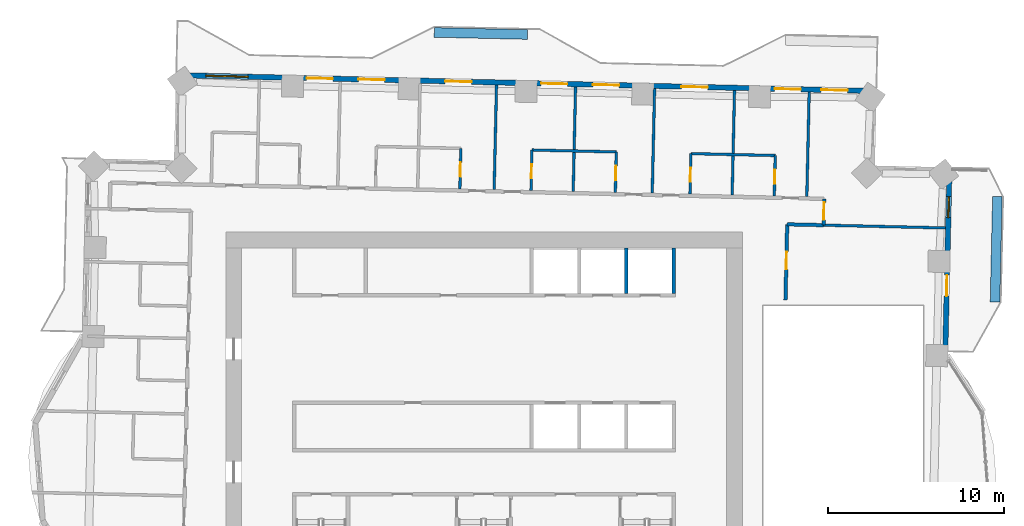
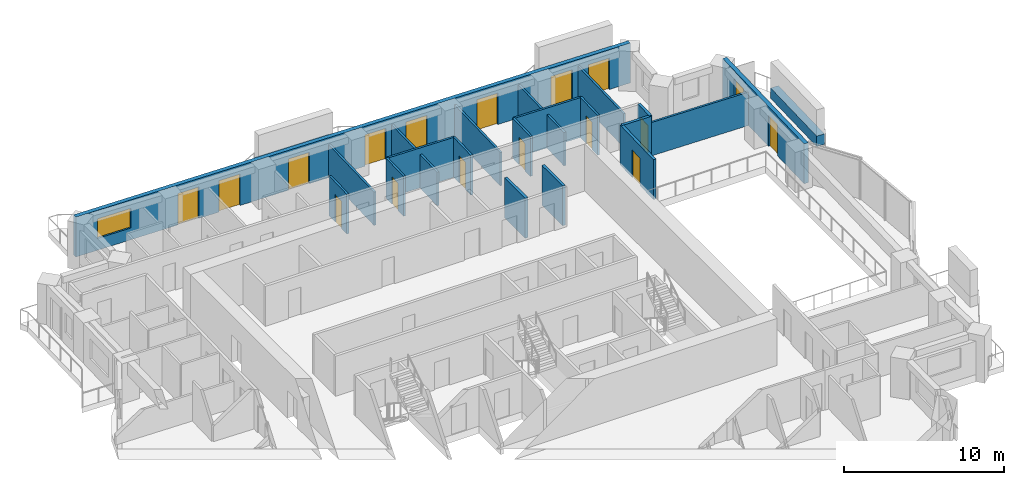
# One storey, part 9 of 14: 22 walls, 16 doors, 2 windows, 18 openings.
"""IFC4 building model written with IfcOpenShell, lengths in metres."""

from ifc_helpers import new_model, si_unit, direction, frame, frame_2d, origin, place, context, subcontext, project, spatial, rectangle, extrude, material, layer, layer_set, type_object, element, fill, save


model = new_model("IFC4")

# Units and contexts
model_context = context("Model", 3, precision=1e-05, world=origin(), true_north=direction((0.0, 1.0)))
body_context = subcontext(model_context, "Body", "Model", "MODEL_VIEW")
ifc_project = project(units=[si_unit("LENGTHUNIT", "METRE"), si_unit("AREAUNIT", "SQUARE_METRE"), si_unit("VOLUMEUNIT", "CUBIC_METRE"), si_unit("PLANEANGLEUNIT", "RADIAN"), si_unit("MASSUNIT", "GRAM", prefix="KILO")], contexts=[model_context])

# Site, building, storey
site_placement = place(None, origin())
site = spatial("IfcSite", under=ifc_project, at=site_placement, CompositionType="ELEMENT")
building_placement = place(site_placement, origin())
building = spatial("IfcBuilding", under=site, at=building_placement, Name="Mangrove Gate Tower", CompositionType="ELEMENT")
storey_placement = place(building_placement, frame((0.0, 0.0, 163.5)))
storey = spatial("IfcBuildingStorey", under=building, at=storey_placement, Name="L41", CompositionType="ELEMENT", Elevation=163.5)

# Walls
ifc_material_1 = material(Name="Concrete C60/75", Category="concrete")
ifc_layer_1 = layer(ifc_material_1, 0.199951171875)
ifc_layer_set_1 = layer_set([ifc_layer_1], Name="Core shaft wall 200 C60/75")
wall_type_1 = type_object("IfcWallType", Name="Core shaft wall 200 C60/75", PredefinedType="SHEAR", material=ifc_layer_set_1)
for number, where, z_axis, x_axis, name in (
    (1, (8.10009765625, 8.199951171875, 0.0), (0.0, 0.0, 1.0), (0.0, 1.0, 0.0), "WALL-L41-CORE-28"),
    (2, (10.800048828125, 8.199951171875, 0.0), (0.0, 0.0, 1.0), (0.0, 1.0, 0.0), "WALL-L41-CORE-29"),
):
    element("IfcWall", number, at=place(storey_placement, frame(where, z_axis=z_axis, x_axis=x_axis)), inside=storey, type_object=wall_type_1, Name=name, PredefinedType="SHEAR", context=body_context, shape_type="SweptSolid", body=[
        extrude(rectangle(XDim=2.60009765625, YDim=0.199951171875, at=frame_2d((1.300048828125, 0.0))), origin(), (0.0, 0.0, 1.0), 3.050048828125),
    ])

# Wall, opening, door
ifc_material_2 = material(Name="Gypsum board on steel stud, EI 60", Category="steel")
ifc_layer_2 = layer(ifc_material_2, 0.199951171875)
ifc_layer_set_2 = layer_set([ifc_layer_2], Name="Corridor wall EI 60")
wall_type_2 = type_object("IfcWallType", Name="Corridor wall EI 60", PredefinedType="PARTITIONING", material=ifc_layer_set_2)
wall_1_placement = place(storey_placement, frame((17.14892578125, 7.83203125, 0.0), z_axis=(0.0, 0.0, 1.0), x_axis=(0.022729111383, 0.999741660378, 0.0)))
wall_1 = element("IfcWall", 3, at=wall_1_placement, inside=storey, type_object=wall_type_2, Name="WALL-L41-049", PredefinedType="PARTITIONING", context=body_context, shape_type="SweptSolid", body=[
    extrude(rectangle(XDim=4.318115234375, YDim=0.199951171875, at=frame_2d((2.1591796875, 0.0))), origin(), (0.0, 0.0, 1.0), 3.050048828125),
])
opening_1_placement = place(wall_1_placement, frame((1.760986328125, 0.0, 0.0)))
opening_1 = element("IfcOpeningElement", 4, at=opening_1_placement, cuts=wall_1, Name="Opening AD", PredefinedType="OPENING", context=body_context, shape_type="SweptSolid", body=[
    extrude(rectangle(XDim=1.0, YDim=2.10009765625, at=frame_2d((0.5, 1.050048828125))), frame((0.0, 0.10986328125, 0.0), z_axis=(0.0, -1.0, 0.0), x_axis=(1.0, 0.0, 0.0)), (0.0, 0.0, 1.0), 0.219970703125),
])
ifc_material_3 = material(Name="Timber door leaf", Category="wood")
door_type_1 = type_object("IfcDoorType", Name="Amenity door 1000", OperationType="SINGLE_SWING_LEFT", PredefinedType="DOOR", material=ifc_material_3)
door_1_placement = place(opening_1_placement, origin())
door_1 = element("IfcDoor", 5, at=door_1_placement, inside=storey, type_object=door_type_1, Name="DOOR-L41-KIT-c3b", OperationType="SINGLE_SWING_LEFT", OverallHeight=2.10009765625, OverallWidth=1.0, PredefinedType="DOOR", context=body_context, shape_type="SweptSolid", body=[
    extrude(rectangle(XDim=1.0, YDim=2.10009765625, at=frame_2d((0.5, 1.050048828125))), frame((0.0, 0.02490234375, 0.0), z_axis=(0.0, -1.0, 0.0), x_axis=(1.0, 0.0, 0.0)), (0.0, 0.0, 1.0), 0.050048828125),
])
fill(opening_1, door_1)

# Wall
wall_2_placement = place(storey_placement, frame((17.248046875, 12.14892578125, 0.0), z_axis=(0.0, 0.0, 1.0), x_axis=(0.999742931749, -0.02267312106, 0.0)))
element("IfcWall", 6, at=wall_2_placement, inside=storey, type_object=wall_type_2, Name="WALL-L41-054", PredefinedType="PARTITIONING", context=body_context, shape_type="SweptSolid", body=[
    extrude(rectangle(XDim=2.0673828125, YDim=0.199951171875, at=frame_2d((1.03369140625, 0.0))), origin(), (0.0, 0.0, 1.0), 3.050048828125),
])

# Wall, opening, door
wall_3_placement = place(storey_placement, frame((19.31689453125, 12.10205078125, 0.0), z_axis=(0.0, 0.0, 1.0), x_axis=(0.02279537805, 0.999740151609, 0.0)))
wall_3 = element("IfcWall", 7, at=wall_3_placement, inside=storey, type_object=wall_type_2, Name="WALL-L41-056", PredefinedType="PARTITIONING", context=body_context, shape_type="SweptSolid", body=[
    extrude(rectangle(XDim=1.49951171875, YDim=0.199951171875, at=frame_2d((0.749755859375, 0.0))), origin(), (0.0, 0.0, 1.0), 3.050048828125),
])
opening_2_placement = place(wall_3_placement, frame((0.300048828125, 0.0, 0.0)))
opening_2 = element("IfcOpeningElement", 8, at=opening_2_placement, cuts=wall_3, Name="Opening AD", PredefinedType="OPENING", context=body_context, shape_type="SweptSolid", body=[
    extrude(rectangle(XDim=1.0, YDim=2.10009765625, at=frame_2d((0.5, 1.050048828125))), frame((0.0, 0.10986328125, 0.0), z_axis=(0.0, -1.0, 0.0), x_axis=(1.0, 0.0, 0.0)), (0.0, 0.0, 1.0), 0.219970703125),
])
door_2_placement = place(opening_2_placement, origin())
door_2 = element("IfcDoor", 9, at=door_2_placement, inside=storey, type_object=door_type_1, Name="DOOR-L41-KIT-c3c", OperationType="SINGLE_SWING_RIGHT", OverallHeight=2.10009765625, OverallWidth=1.0, PredefinedType="DOOR", context=body_context, shape_type="SweptSolid", body=[
    extrude(rectangle(XDim=1.0, YDim=2.10009765625, at=frame_2d((0.5, 1.050048828125))), frame((0.0, 0.02490234375, 0.0), z_axis=(0.0, -1.0, 0.0), x_axis=(1.0, 0.0, 0.0)), (0.0, 0.0, 1.0), 0.050048828125),
])
fill(opening_2, door_2)

# Wall, openings, door, window
ifc_material_4 = material(Name="Limestone", Category="masonry")
ifc_layer_3 = layer(ifc_material_4, 0.0400390625, Name="Limestone cladding")
ifc_material_5 = material(Name="Ventilated air gap")
ifc_layer_4 = layer(ifc_material_5, 0.0400390625, Name="Ventilated cavity")
ifc_material_6 = material(Name="Mineral wool insulation")
ifc_layer_5 = layer(ifc_material_6, 0.06005859375, Name="Insulation")
ifc_material_7 = material(Name="Breather membrane")
ifc_layer_6 = layer(ifc_material_7, 0.001953125, Name="Breather membrane")
ifc_material_8 = material(Name="Concrete C20/25 blockwork", Category="masonry")
ifc_layer_7 = layer(ifc_material_8, 0.14990234375, Name="Blockwork backing wall")
ifc_material_9 = material(Name="Gypsum plaster")
ifc_layer_8 = layer(ifc_material_9, 0.008056640625, Name="Internal plaster")
ifc_layer_set_3 = layer_set([ifc_layer_3, ifc_layer_4, ifc_layer_5, ifc_layer_6, ifc_layer_7, ifc_layer_8], Name="External wall 300 limestone cladding")
wall_type_3 = type_object("IfcWallType", Name="External wall 300 limestone cladding", PredefinedType="SOLIDWALL", material=ifc_layer_set_3)
wall_4_placement = place(storey_placement, frame((26.238037109375, 4.613037109375, 0.0), z_axis=(0.0, 0.0, 1.0), x_axis=(0.022761056451, 0.999740933597, 0.0)))
wall_4 = element("IfcWall", 10, at=wall_4_placement, inside=storey, type_object=wall_type_3, Name="WALL-L41-E2", PredefinedType="SOLIDWALL", context=body_context, shape_type="SweptSolid", body=[
    extrude(rectangle(XDim=10.629638671875, YDim=0.300048828125, at=frame_2d((5.31494140625, 0.0))), origin(), (0.0, 0.0, 1.0), 3.050048828125),
])
opening_3_placement = place(wall_4_placement, frame((3.452880859375, 0.0, 0.0)))
opening_3 = element("IfcOpeningElement", 11, at=opening_3_placement, cuts=wall_4, Name="Opening BD2", PredefinedType="OPENING", context=body_context, shape_type="SweptSolid", body=[
    extrude(rectangle(XDim=1.199951171875, YDim=2.39990234375, at=frame_2d((0.60009765625, 1.199951171875))), frame((0.0, 0.159912109375, 0.0), z_axis=(0.0, -1.0, 0.0), x_axis=(1.0, 0.0, 0.0)), (0.0, 0.0, 1.0), 0.320068359375),
])
opening_4_placement = place(wall_4_placement, frame((7.916015625, 0.0, 0.89990234375)))
opening_4 = element("IfcOpeningElement", 12, at=opening_4_placement, cuts=wall_4, Name="Opening W1", PredefinedType="OPENING", context=body_context, shape_type="SweptSolid", body=[
    extrude(rectangle(XDim=1.199951171875, YDim=1.5, at=frame_2d((0.60009765625, 0.75))), frame((0.0, 0.159912109375, 0.0), z_axis=(0.0, -1.0, 0.0), x_axis=(1.0, 0.0, 0.0)), (0.0, 0.0, 1.0), 0.320068359375),
])
ifc_material_10 = material(Name="Aluminium frame with laminated clear glass", Category="aluminium")
door_type_2 = type_object("IfcDoorType", Name="Balcony sliding door 1200x2400", OperationType="SLIDING_TO_LEFT", PredefinedType="DOOR", material=ifc_material_10)
door_3_placement = place(opening_3_placement, origin())
door_3 = element("IfcDoor", 13, at=door_3_placement, inside=storey, type_object=door_type_2, Name="DOOR-L41-E2-1", OperationType="SLIDING_TO_LEFT", OverallHeight=2.39990234375, OverallWidth=1.199951171875, PredefinedType="DOOR", context=body_context, shape_type="SweptSolid", body=[
    extrude(rectangle(XDim=1.199951171875, YDim=2.39990234375, at=frame_2d((0.60009765625, 1.199951171875))), frame((0.0, 0.02490234375, 0.0), z_axis=(0.0, -1.0, 0.0), x_axis=(1.0, 0.0, 0.0)), (0.0, 0.0, 1.0), 0.050048828125),
])
fill(opening_3, door_3)
ifc_material_11 = material(Name="Aluminium frame with double-glazed low-e glass", Category="aluminium")
window_type_1 = type_object("IfcWindowType", Name="Side lite 1200x1500", PartitioningType="SINGLE_PANEL", PredefinedType="WINDOW", material=ifc_material_11)
window_1_placement = place(opening_4_placement, origin())
window_1 = element("IfcWindow", 14, at=window_1_placement, inside=storey, type_object=window_type_1, Name="WIN-L41-E2-2", OverallHeight=1.5, OverallWidth=1.199951171875, PartitioningType="SINGLE_PANEL", PredefinedType="WINDOW", context=body_context, shape_type="SweptSolid", body=[
    extrude(rectangle(XDim=1.199951171875, YDim=1.5, at=frame_2d((0.60009765625, 0.75))), frame((0.0, 0.030029296875, 0.0), z_axis=(0.0, -1.0, 0.0), x_axis=(1.0, 0.0, 0.0)), (0.0, 0.0, 1.0), 0.06005859375),
])
fill(opening_4, window_1)

# Wall, openings, doors, window
wall_5_placement = place(storey_placement, frame((22.180908203125, 19.739013671875, 0.0), z_axis=(0.0, 0.0, 1.0), x_axis=(-0.999742618326, 0.022686936846, 0.0)))
wall_5 = element("IfcWall", 15, at=wall_5_placement, inside=storey, type_object=wall_type_3, Name="WALL-L41-N5", PredefinedType="SOLIDWALL", context=body_context, shape_type="SweptSolid", body=[
    extrude(rectangle(XDim=39.580078125, YDim=0.300048828125, at=frame_2d((19.7900390625, 0.0))), origin(), (0.0, 0.0, 1.0), 3.050048828125),
])
opening_5_placement = place(wall_5_placement, frame((1.4951171875, 0.0, 0.0)))
opening_5 = element("IfcOpeningElement", 16, at=opening_5_placement, cuts=wall_5, Name="Opening BD1", PredefinedType="OPENING", context=body_context, shape_type="SweptSolid", body=[
    extrude(rectangle(XDim=1.5, YDim=2.39990234375, at=frame_2d((0.75, 1.199951171875))), frame((0.0, 0.159912109375, 0.0), z_axis=(0.0, -1.0, 0.0), x_axis=(1.0, 0.0, 0.0)), (0.0, 0.0, 1.0), 0.320068359375),
])
opening_6_placement = place(wall_5_placement, frame((4.15087890625, 0.0, 0.0)))
opening_6 = element("IfcOpeningElement", 17, at=opening_6_placement, cuts=wall_5, Name="Opening BD1", PredefinedType="OPENING", context=body_context, shape_type="SweptSolid", body=[
    extrude(rectangle(XDim=1.5, YDim=2.39990234375, at=frame_2d((0.75, 1.199951171875))), frame((0.0, 0.159912109375, 0.0), z_axis=(0.0, -1.0, 0.0), x_axis=(1.0, 0.0, 0.0)), (0.0, 0.0, 1.0), 0.320068359375),
])
opening_7_placement = place(wall_5_placement, frame((9.455078125, 0.0, 0.0)))
opening_7 = element("IfcOpeningElement", 18, at=opening_7_placement, cuts=wall_5, Name="Opening BD1", PredefinedType="OPENING", context=body_context, shape_type="SweptSolid", body=[
    extrude(rectangle(XDim=1.5, YDim=2.39990234375, at=frame_2d((0.75, 1.199951171875))), frame((0.0, 0.159912109375, 0.0), z_axis=(0.0, -1.0, 0.0), x_axis=(1.0, 0.0, 0.0)), (0.0, 0.0, 1.0), 0.320068359375),
])
opening_8_placement = place(wall_5_placement, frame((14.4990234375, 0.0, 0.0)))
opening_8 = element("IfcOpeningElement", 19, at=opening_8_placement, cuts=wall_5, Name="Opening BD1", PredefinedType="OPENING", context=body_context, shape_type="SweptSolid", body=[
    extrude(rectangle(XDim=1.5, YDim=2.39990234375, at=frame_2d((0.75, 1.199951171875))), frame((0.0, 0.159912109375, 0.0), z_axis=(0.0, -1.0, 0.0), x_axis=(1.0, 0.0, 0.0)), (0.0, 0.0, 1.0), 0.320068359375),
])
opening_9_placement = place(wall_5_placement, frame((17.447998046875, 0.0, 0.0)))
opening_9 = element("IfcOpeningElement", 20, at=opening_9_placement, cuts=wall_5, Name="Opening BD1", PredefinedType="OPENING", context=body_context, shape_type="SweptSolid", body=[
    extrude(rectangle(XDim=1.5, YDim=2.39990234375, at=frame_2d((0.75, 1.199951171875))), frame((0.0, 0.159912109375, 0.0), z_axis=(0.0, -1.0, 0.0), x_axis=(1.0, 0.0, 0.0)), (0.0, 0.0, 1.0), 0.320068359375),
])
opening_10_placement = place(wall_5_placement, frame((22.905029296875, 0.0, 0.0)))
opening_10 = element("IfcOpeningElement", 21, at=opening_10_placement, cuts=wall_5, Name="Opening BD1", PredefinedType="OPENING", context=body_context, shape_type="SweptSolid", body=[
    extrude(rectangle(XDim=1.5, YDim=2.39990234375, at=frame_2d((0.75, 1.199951171875))), frame((0.0, 0.159912109375, 0.0), z_axis=(0.0, -1.0, 0.0), x_axis=(1.0, 0.0, 0.0)), (0.0, 0.0, 1.0), 0.320068359375),
])
opening_11_placement = place(wall_5_placement, frame((27.845947265625, 0.0, 0.0)))
opening_11 = element("IfcOpeningElement", 22, at=opening_11_placement, cuts=wall_5, Name="Opening BD1", PredefinedType="OPENING", context=body_context, shape_type="SweptSolid", body=[
    extrude(rectangle(XDim=1.5, YDim=2.39990234375, at=frame_2d((0.75, 1.199951171875))), frame((0.0, 0.159912109375, 0.0), z_axis=(0.0, -1.0, 0.0), x_axis=(1.0, 0.0, 0.0)), (0.0, 0.0, 1.0), 0.320068359375),
])
opening_12_placement = place(wall_5_placement, frame((30.7939453125, 0.0, 0.0)))
opening_12 = element("IfcOpeningElement", 23, at=opening_12_placement, cuts=wall_5, Name="Opening BD1", PredefinedType="OPENING", context=body_context, shape_type="SweptSolid", body=[
    extrude(rectangle(XDim=1.5, YDim=2.39990234375, at=frame_2d((0.75, 1.199951171875))), frame((0.0, 0.159912109375, 0.0), z_axis=(0.0, -1.0, 0.0), x_axis=(1.0, 0.0, 0.0)), (0.0, 0.0, 1.0), 0.320068359375),
])
opening_13_placement = place(wall_5_placement, frame((35.6298828125, 0.0, 0.89990234375)))
opening_13 = element("IfcOpeningElement", 24, at=opening_13_placement, cuts=wall_5, Name="Opening W2", PredefinedType="OPENING", context=body_context, shape_type="SweptSolid", body=[
    extrude(rectangle(XDim=2.39990234375, YDim=1.5, at=frame_2d((1.199951171875, 0.75))), frame((0.0, 0.159912109375, 0.0), z_axis=(0.0, -1.0, 0.0), x_axis=(1.0, 0.0, 0.0)), (0.0, 0.0, 1.0), 0.320068359375),
])
ifc_material_12 = material(Name="Aluminium frame with laminated clear glass", Category="aluminium")
door_type_3 = type_object("IfcDoorType", Name="Balcony sliding door 1500x2400", OperationType="SLIDING_TO_LEFT", PredefinedType="DOOR", material=ifc_material_12)
door_4_placement = place(opening_5_placement, origin())
door_4 = element("IfcDoor", 25, at=door_4_placement, inside=storey, type_object=door_type_3, Name="DOOR-L41-N5-1", OperationType="SLIDING_TO_LEFT", OverallHeight=2.39990234375, OverallWidth=1.5, PredefinedType="DOOR", context=body_context, shape_type="SweptSolid", body=[
    extrude(rectangle(XDim=1.5, YDim=2.39990234375, at=frame_2d((0.75, 1.199951171875))), frame((0.0, 0.02490234375, 0.0), z_axis=(0.0, -1.0, 0.0), x_axis=(1.0, 0.0, 0.0)), (0.0, 0.0, 1.0), 0.050048828125),
])
fill(opening_5, door_4)
door_5_placement = place(opening_6_placement, origin())
door_5 = element("IfcDoor", 26, at=door_5_placement, inside=storey, type_object=door_type_3, Name="DOOR-L41-N5-2", OperationType="SLIDING_TO_LEFT", OverallHeight=2.39990234375, OverallWidth=1.5, PredefinedType="DOOR", context=body_context, shape_type="SweptSolid", body=[
    extrude(rectangle(XDim=1.5, YDim=2.39990234375, at=frame_2d((0.75, 1.199951171875))), frame((0.0, 0.02490234375, 0.0), z_axis=(0.0, -1.0, 0.0), x_axis=(1.0, 0.0, 0.0)), (0.0, 0.0, 1.0), 0.050048828125),
])
fill(opening_6, door_5)
door_6_placement = place(opening_7_placement, origin())
door_6 = element("IfcDoor", 27, at=door_6_placement, inside=storey, type_object=door_type_3, Name="DOOR-L41-N5-3", OperationType="SLIDING_TO_LEFT", OverallHeight=2.39990234375, OverallWidth=1.5, PredefinedType="DOOR", context=body_context, shape_type="SweptSolid", body=[
    extrude(rectangle(XDim=1.5, YDim=2.39990234375, at=frame_2d((0.75, 1.199951171875))), frame((0.0, 0.02490234375, 0.0), z_axis=(0.0, -1.0, 0.0), x_axis=(1.0, 0.0, 0.0)), (0.0, 0.0, 1.0), 0.050048828125),
])
fill(opening_7, door_6)
door_7_placement = place(opening_8_placement, origin())
door_7 = element("IfcDoor", 28, at=door_7_placement, inside=storey, type_object=door_type_3, Name="DOOR-L41-N5-4", OperationType="SLIDING_TO_LEFT", OverallHeight=2.39990234375, OverallWidth=1.5, PredefinedType="DOOR", context=body_context, shape_type="SweptSolid", body=[
    extrude(rectangle(XDim=1.5, YDim=2.39990234375, at=frame_2d((0.75, 1.199951171875))), frame((0.0, 0.02490234375, 0.0), z_axis=(0.0, -1.0, 0.0), x_axis=(1.0, 0.0, 0.0)), (0.0, 0.0, 1.0), 0.050048828125),
])
fill(opening_8, door_7)
door_8_placement = place(opening_9_placement, origin())
door_8 = element("IfcDoor", 29, at=door_8_placement, inside=storey, type_object=door_type_3, Name="DOOR-L41-N5-5", OperationType="SLIDING_TO_LEFT", OverallHeight=2.39990234375, OverallWidth=1.5, PredefinedType="DOOR", context=body_context, shape_type="SweptSolid", body=[
    extrude(rectangle(XDim=1.5, YDim=2.39990234375, at=frame_2d((0.75, 1.199951171875))), frame((0.0, 0.02490234375, 0.0), z_axis=(0.0, -1.0, 0.0), x_axis=(1.0, 0.0, 0.0)), (0.0, 0.0, 1.0), 0.050048828125),
])
fill(opening_9, door_8)
door_9_placement = place(opening_10_placement, origin())
door_9 = element("IfcDoor", 30, at=door_9_placement, inside=storey, type_object=door_type_3, Name="DOOR-L41-N5-6", OperationType="SLIDING_TO_LEFT", OverallHeight=2.39990234375, OverallWidth=1.5, PredefinedType="DOOR", context=body_context, shape_type="SweptSolid", body=[
    extrude(rectangle(XDim=1.5, YDim=2.39990234375, at=frame_2d((0.75, 1.199951171875))), frame((0.0, 0.02490234375, 0.0), z_axis=(0.0, -1.0, 0.0), x_axis=(1.0, 0.0, 0.0)), (0.0, 0.0, 1.0), 0.050048828125),
])
fill(opening_10, door_9)
door_10_placement = place(opening_11_placement, origin())
door_10 = element("IfcDoor", 31, at=door_10_placement, inside=storey, type_object=door_type_3, Name="DOOR-L41-N5-7", OperationType="SLIDING_TO_LEFT", OverallHeight=2.39990234375, OverallWidth=1.5, PredefinedType="DOOR", context=body_context, shape_type="SweptSolid", body=[
    extrude(rectangle(XDim=1.5, YDim=2.39990234375, at=frame_2d((0.75, 1.199951171875))), frame((0.0, 0.02490234375, 0.0), z_axis=(0.0, -1.0, 0.0), x_axis=(1.0, 0.0, 0.0)), (0.0, 0.0, 1.0), 0.050048828125),
])
fill(opening_11, door_10)
door_11_placement = place(opening_12_placement, origin())
door_11 = element("IfcDoor", 32, at=door_11_placement, inside=storey, type_object=door_type_3, Name="DOOR-L41-N5-8", OperationType="SLIDING_TO_LEFT", OverallHeight=2.39990234375, OverallWidth=1.5, PredefinedType="DOOR", context=body_context, shape_type="SweptSolid", body=[
    extrude(rectangle(XDim=1.5, YDim=2.39990234375, at=frame_2d((0.75, 1.199951171875))), frame((0.0, 0.02490234375, 0.0), z_axis=(0.0, -1.0, 0.0), x_axis=(1.0, 0.0, 0.0)), (0.0, 0.0, 1.0), 0.050048828125),
])
fill(opening_12, door_11)
ifc_material_13 = material(Name="Aluminium frame with double-glazed low-e glass", Category="aluminium")
window_type_2 = type_object("IfcWindowType", Name="Corner room window 2400x1500", PartitioningType="DOUBLE_PANEL_VERTICAL", PredefinedType="WINDOW", material=ifc_material_13)
window_2_placement = place(opening_13_placement, origin())
window_2 = element("IfcWindow", 33, at=window_2_placement, inside=storey, type_object=window_type_2, Name="WIN-L41-N5-9", OverallHeight=1.5, OverallWidth=2.39990234375, PartitioningType="DOUBLE_PANEL_VERTICAL", PredefinedType="WINDOW", context=body_context, shape_type="SweptSolid", body=[
    extrude(rectangle(XDim=2.39990234375, YDim=1.5, at=frame_2d((1.199951171875, 0.75))), frame((0.0, 0.030029296875, 0.0), z_axis=(0.0, -1.0, 0.0), x_axis=(1.0, 0.0, 0.0)), (0.0, 0.0, 1.0), 0.06005859375),
])
fill(opening_13, window_2)

# Wall
ifc_material_14 = material(Name="Gypsum board on steel stud, EI 60", Category="steel")
ifc_layer_9 = layer(ifc_material_14, 0.14990234375)
ifc_layer_set_4 = layer_set([ifc_layer_9], Name="Party wall 150 EI 60")
wall_type_4 = type_object("IfcWallType", Name="Party wall 150 EI 60", PredefinedType="PARTITIONING", material=ifc_layer_set_4)
wall_6_placement = place(storey_placement, frame((19.31494140625, 12.10205078125, 0.0), z_axis=(0.0, 0.0, 1.0), x_axis=(0.999741072391, -0.022754959327, 0.0)))
element("IfcWall", 34, at=wall_6_placement, inside=storey, type_object=wall_type_4, Name="WALL-L41-055", PredefinedType="PARTITIONING", context=body_context, shape_type="SweptSolid", body=[
    extrude(rectangle(XDim=6.941650390625, YDim=0.14990234375, at=frame_2d((3.470703125, 0.0))), origin(), (0.0, 0.0, 1.0), 2.550048828125),
])

# Wall, opening, door
wall_7_placement = place(storey_placement, frame((-1.382080078125, 14.172119140625, 0.0), z_axis=(0.0, 0.0, 1.0), x_axis=(0.022615284993, 0.999744241736, 0.0)))
wall_7 = element("IfcWall", 35, at=wall_7_placement, inside=storey, type_object=wall_type_4, Name="WALL-L41-064", PredefinedType="PARTITIONING", context=body_context, shape_type="SweptSolid", body=[
    extrude(rectangle(XDim=2.29931640625, YDim=0.14990234375, at=frame_2d((1.149658203125, 0.0))), origin(), (0.0, 0.0, 1.0), 3.050048828125),
])
opening_14_placement = place(wall_7_placement, frame((0.699951171875, 0.0, 0.0)))
opening_14 = element("IfcOpeningElement", 36, at=opening_14_placement, cuts=wall_7, Name="Opening ED", PredefinedType="OPENING", context=body_context, shape_type="SweptSolid", body=[
    extrude(rectangle(XDim=0.800048828125, YDim=2.10009765625, at=frame_2d((0.39990234375, 1.050048828125))), frame((0.0, 0.0849609375, 0.0), z_axis=(0.0, -1.0, 0.0), x_axis=(1.0, 0.0, 0.0)), (0.0, 0.0, 1.0), 0.169921875),
])
ifc_material_15 = material(Name="Timber door leaf", Category="wood")
door_type_4 = type_object("IfcDoorType", Name="En-suite door 800", OperationType="SINGLE_SWING_LEFT", PredefinedType="DOOR", material=ifc_material_15)
door_12_placement = place(opening_14_placement, origin())
door_12 = element("IfcDoor", 37, at=door_12_placement, inside=storey, type_object=door_type_4, Name="DOOR-L41-ENS-c412", OperationType="SINGLE_SWING_RIGHT", OverallHeight=2.10009765625, OverallWidth=0.800048828125, PredefinedType="DOOR", context=body_context, shape_type="SweptSolid", body=[
    extrude(rectangle(XDim=0.800048828125, YDim=2.10009765625, at=frame_2d((0.39990234375, 1.050048828125))), frame((0.0, 0.02490234375, 0.0), z_axis=(0.0, -1.0, 0.0), x_axis=(1.0, 0.0, 0.0)), (0.0, 0.0, 1.0), 0.050048828125),
])
fill(opening_14, door_12)

# Wall
wall_8_placement = place(storey_placement, frame((0.568115234375, 14.126953125, 0.0), z_axis=(0.0, 0.0, 1.0), x_axis=(0.022647778364, 0.999743506173, 0.0)))
element("IfcWall", 38, at=wall_8_placement, inside=storey, type_object=wall_type_4, Name="WALL-L41-065", PredefinedType="PARTITIONING", context=body_context, shape_type="SweptSolid", body=[
    extrude(rectangle(XDim=5.950439453125, YDim=0.14990234375, at=frame_2d((2.97509765625, 0.0))), origin(), (0.0, 0.0, 1.0), 2.550048828125),
])

# Wall, opening, door
wall_9_placement = place(storey_placement, frame((2.6669921875, 14.080078125, 0.0), z_axis=(0.0, 0.0, 1.0), x_axis=(0.022615284993, 0.999744241736, 0.0)))
wall_9 = element("IfcWall", 39, at=wall_9_placement, inside=storey, type_object=wall_type_4, Name="WALL-L41-066", PredefinedType="PARTITIONING", context=body_context, shape_type="SweptSolid", body=[
    extrude(rectangle(XDim=2.29931640625, YDim=0.14990234375, at=frame_2d((1.149658203125, 0.0))), origin(), (0.0, 0.0, 1.0), 3.050048828125),
])
opening_15_placement = place(wall_9_placement, frame((0.699951171875, 0.0, 0.0)))
opening_15 = element("IfcOpeningElement", 40, at=opening_15_placement, cuts=wall_9, Name="Opening ED", PredefinedType="OPENING", context=body_context, shape_type="SweptSolid", body=[
    extrude(rectangle(XDim=0.800048828125, YDim=2.10009765625, at=frame_2d((0.39990234375, 1.050048828125))), frame((0.0, 0.0849609375, 0.0), z_axis=(0.0, -1.0, 0.0), x_axis=(1.0, 0.0, 0.0)), (0.0, 0.0, 1.0), 0.169921875),
])
door_13_placement = place(opening_15_placement, origin())
door_13 = element("IfcDoor", 41, at=door_13_placement, inside=storey, type_object=door_type_4, Name="DOOR-L41-ENS-c411", OperationType="SINGLE_SWING_LEFT", OverallHeight=2.10009765625, OverallWidth=0.800048828125, PredefinedType="DOOR", context=body_context, shape_type="SweptSolid", body=[
    extrude(rectangle(XDim=0.800048828125, YDim=2.10009765625, at=frame_2d((0.39990234375, 1.050048828125))), frame((0.0, 0.02490234375, 0.0), z_axis=(0.0, -1.0, 0.0), x_axis=(1.0, 0.0, 0.0)), (0.0, 0.0, 1.0), 0.050048828125),
])
fill(opening_15, door_13)

# Wall
wall_10_placement = place(storey_placement, frame((5.06689453125, 14.02490234375, 0.0), z_axis=(0.0, 0.0, 1.0), x_axis=(0.022687855237, 0.999742597484, 0.0)))
element("IfcWall", 42, at=wall_10_placement, inside=storey, type_object=wall_type_4, Name="WALL-L41-067", PredefinedType="PARTITIONING", context=body_context, shape_type="SweptSolid", body=[
    extrude(rectangle(XDim=5.95068359375, YDim=0.14990234375, at=frame_2d((2.975341796875, 0.0))), origin(), (0.0, 0.0, 1.0), 2.550048828125),
])

# Wall, opening, door
wall_11_placement = place(storey_placement, frame((7.466064453125, 13.970947265625, 0.0), z_axis=(0.0, 0.0, 1.0), x_axis=(0.022612884682, 0.999744296031, 0.0)))
wall_11 = element("IfcWall", 43, at=wall_11_placement, inside=storey, type_object=wall_type_4, Name="WALL-L41-068", PredefinedType="PARTITIONING", context=body_context, shape_type="SweptSolid", body=[
    extrude(rectangle(XDim=2.299560546875, YDim=0.14990234375, at=frame_2d((1.14990234375, 0.0))), origin(), (0.0, 0.0, 1.0), 3.050048828125),
])
opening_16_placement = place(wall_11_placement, frame((0.699951171875, 0.0, 0.0)))
opening_16 = element("IfcOpeningElement", 44, at=opening_16_placement, cuts=wall_11, Name="Opening ED", PredefinedType="OPENING", context=body_context, shape_type="SweptSolid", body=[
    extrude(rectangle(XDim=0.800048828125, YDim=2.10009765625, at=frame_2d((0.39990234375, 1.050048828125))), frame((0.0, 0.0849609375, 0.0), z_axis=(0.0, -1.0, 0.0), x_axis=(1.0, 0.0, 0.0)), (0.0, 0.0, 1.0), 0.169921875),
])
door_14_placement = place(opening_16_placement, origin())
door_14 = element("IfcDoor", 45, at=door_14_placement, inside=storey, type_object=door_type_4, Name="DOOR-L41-ENS-c410", OperationType="SINGLE_SWING_RIGHT", OverallHeight=2.10009765625, OverallWidth=0.800048828125, PredefinedType="DOOR", context=body_context, shape_type="SweptSolid", body=[
    extrude(rectangle(XDim=0.800048828125, YDim=2.10009765625, at=frame_2d((0.39990234375, 1.050048828125))), frame((0.0, 0.02490234375, 0.0), z_axis=(0.0, -1.0, 0.0), x_axis=(1.0, 0.0, 0.0)), (0.0, 0.0, 1.0), 0.050048828125),
])
fill(opening_16, door_14)

# Wall
wall_12_placement = place(storey_placement, frame((9.56494140625, 13.923095703125, 0.0), z_axis=(0.0, 0.0, 1.0), x_axis=(0.022688785847, 0.999742576365, 0.0)))
element("IfcWall", 46, at=wall_12_placement, inside=storey, type_object=wall_type_4, Name="WALL-L41-069", PredefinedType="PARTITIONING", context=body_context, shape_type="SweptSolid", body=[
    extrude(rectangle(XDim=5.950439453125, YDim=0.14990234375, at=frame_2d((2.97509765625, 0.0))), origin(), (0.0, 0.0, 1.0), 2.550048828125),
])

# Wall, opening, door
wall_13_placement = place(storey_placement, frame((11.715087890625, 13.875, 0.0), z_axis=(0.0, 0.0, 1.0), x_axis=(0.022612884682, 0.999744296031, 0.0)))
wall_13 = element("IfcWall", 47, at=wall_13_placement, inside=storey, type_object=wall_type_4, Name="WALL-L41-070", PredefinedType="PARTITIONING", context=body_context, shape_type="SweptSolid", body=[
    extrude(rectangle(XDim=2.299560546875, YDim=0.14990234375, at=frame_2d((1.14990234375, 0.0))), origin(), (0.0, 0.0, 1.0), 3.050048828125),
])
opening_17_placement = place(wall_13_placement, frame((0.699951171875, 0.0, 0.0)))
opening_17 = element("IfcOpeningElement", 48, at=opening_17_placement, cuts=wall_13, Name="Opening ED", PredefinedType="OPENING", context=body_context, shape_type="SweptSolid", body=[
    extrude(rectangle(XDim=0.800048828125, YDim=2.10009765625, at=frame_2d((0.39990234375, 1.050048828125))), frame((0.0, 0.0849609375, 0.0), z_axis=(0.0, -1.0, 0.0), x_axis=(1.0, 0.0, 0.0)), (0.0, 0.0, 1.0), 0.169921875),
])
door_15_placement = place(opening_17_placement, origin())
door_15 = element("IfcDoor", 49, at=door_15_placement, inside=storey, type_object=door_type_4, Name="DOOR-L41-ENS-c309", OperationType="SINGLE_SWING_LEFT", OverallHeight=2.10009765625, OverallWidth=0.800048828125, PredefinedType="DOOR", context=body_context, shape_type="SweptSolid", body=[
    extrude(rectangle(XDim=0.800048828125, YDim=2.10009765625, at=frame_2d((0.39990234375, 1.050048828125))), frame((0.0, 0.02490234375, 0.0), z_axis=(0.0, -1.0, 0.0), x_axis=(1.0, 0.0, 0.0)), (0.0, 0.0, 1.0), 0.050048828125),
])
fill(opening_17, door_15)

# Wall
wall_14_placement = place(storey_placement, frame((14.114013671875, 13.820068359375, 0.0), z_axis=(0.0, 0.0, 1.0), x_axis=(0.022688785847, 0.999742576365, 0.0)))
element("IfcWall", 50, at=wall_14_placement, inside=storey, type_object=wall_type_4, Name="WALL-L41-071", PredefinedType="PARTITIONING", context=body_context, shape_type="SweptSolid", body=[
    extrude(rectangle(XDim=5.950439453125, YDim=0.14990234375, at=frame_2d((2.97509765625, 0.0))), origin(), (0.0, 0.0, 1.0), 2.550048828125),
])

# Wall, opening, door
wall_15_placement = place(storey_placement, frame((16.513916015625, 13.76611328125, 0.0), z_axis=(0.0, 0.0, 1.0), x_axis=(0.022615284993, 0.999744241736, 0.0)))
wall_15 = element("IfcWall", 51, at=wall_15_placement, inside=storey, type_object=wall_type_4, Name="WALL-L41-072", PredefinedType="PARTITIONING", context=body_context, shape_type="SweptSolid", body=[
    extrude(rectangle(XDim=2.29931640625, YDim=0.14990234375, at=frame_2d((1.149658203125, 0.0))), origin(), (0.0, 0.0, 1.0), 3.050048828125),
])
opening_18_placement = place(wall_15_placement, frame((0.699951171875, 0.0, 0.0)))
opening_18 = element("IfcOpeningElement", 52, at=opening_18_placement, cuts=wall_15, Name="Opening ED", PredefinedType="OPENING", context=body_context, shape_type="SweptSolid", body=[
    extrude(rectangle(XDim=0.800048828125, YDim=2.10009765625, at=frame_2d((0.39990234375, 1.050048828125))), frame((0.0, 0.0849609375, 0.0), z_axis=(0.0, -1.0, 0.0), x_axis=(1.0, 0.0, 0.0)), (0.0, 0.0, 1.0), 0.169921875),
])
door_16_placement = place(opening_18_placement, origin())
door_16 = element("IfcDoor", 53, at=door_16_placement, inside=storey, type_object=door_type_4, Name="DOOR-L41-ENS-c308", OperationType="SINGLE_SWING_RIGHT", OverallHeight=2.10009765625, OverallWidth=0.800048828125, PredefinedType="DOOR", context=body_context, shape_type="SweptSolid", body=[
    extrude(rectangle(XDim=0.800048828125, YDim=2.10009765625, at=frame_2d((0.39990234375, 1.050048828125))), frame((0.0, 0.02490234375, 0.0), z_axis=(0.0, -1.0, 0.0), x_axis=(1.0, 0.0, 0.0)), (0.0, 0.0, 1.0), 0.050048828125),
])
fill(opening_18, door_16)

# Walls
wall_16_placement = place(storey_placement, frame((18.363037109375, 13.72412109375, 0.0), z_axis=(0.0, 0.0, 1.0), x_axis=(0.022688785847, 0.999742576365, 0.0)))
element("IfcWall", 54, at=wall_16_placement, inside=storey, type_object=wall_type_4, Name="WALL-L41-073", PredefinedType="PARTITIONING", context=body_context, shape_type="SweptSolid", body=[
    extrude(rectangle(XDim=5.950439453125, YDim=0.14990234375, at=frame_2d((2.97509765625, 0.0))), origin(), (0.0, 0.0, 1.0), 2.550048828125),
])
wall_17_placement = place(storey_placement, frame((2.718994140625, 16.37890625, 0.0), z_axis=(0.0, 0.0, 1.0), x_axis=(0.999742701292, -0.022683280499, 0.0)))
element("IfcWall", 55, at=wall_17_placement, inside=storey, type_object=wall_type_4, Name="WALL-L41-076", PredefinedType="PARTITIONING", context=body_context, shape_type="SweptSolid", body=[
    extrude(rectangle(XDim=4.80029296875, YDim=0.14990234375, at=frame_2d((2.400146484375, 0.0))), origin(), (0.0, 0.0, 1.0), 3.050048828125),
])
wall_18_placement = place(storey_placement, frame((11.76708984375, 16.174072265625, 0.0), z_axis=(0.0, 0.0, 1.0), x_axis=(0.999741520352, -0.022735269617, 0.0)))
element("IfcWall", 56, at=wall_18_placement, inside=storey, type_object=wall_type_4, Name="WALL-L41-077", PredefinedType="PARTITIONING", context=body_context, shape_type="SweptSolid", body=[
    extrude(rectangle(XDim=4.800048828125, YDim=0.14990234375, at=frame_2d((2.39990234375, 0.0))), origin(), (0.0, 0.0, 1.0), 3.050048828125),
])
ifc_material_16 = material(Name="Concrete C32/40", Category="concrete")
ifc_layer_10 = layer(ifc_material_16, 0.199951171875, Name="Planter trough wall")
ifc_material_17 = material(Name="Bituminous waterproofing membrane")
ifc_layer_11 = layer(ifc_material_17, 0.0048828125, Name="Waterproofing")
ifc_material_18 = material(Name="Drainage board and gravel")
ifc_layer_12 = layer(ifc_material_18, 0.044921875, Name="Drainage layer")
ifc_material_19 = material(Name="Planting soil")
ifc_layer_13 = layer(ifc_material_19, 0.300048828125, Name="Growing medium")
ifc_layer_set_5 = layer_set([ifc_layer_10, ifc_layer_11, ifc_layer_12, ifc_layer_13], Name="Planter wall 550 C32/40")
wall_type_5 = type_object("IfcWallType", Name="Planter wall 550 C32/40", PredefinedType="USERDEFINED", material=ifc_layer_set_5)
wall_19_placement = place(storey_placement, frame((29.074951171875, 7.72900390625, 0.0), z_axis=(0.0, 0.0, 1.0), x_axis=(0.022665943652, 0.999743094499, 0.0)))
element("IfcWall", 57, at=wall_19_placement, inside=storey, type_object=wall_type_5, Name="PLANTER L41 E1.1", ObjectType="PLANTER", PredefinedType="USERDEFINED", context=body_context, shape_type="SweptSolid", body=[
    extrude(rectangle(XDim=5.99951171875, YDim=0.550048828125, at=frame_2d((2.999755859375, 0.0))), origin(), (0.0, 0.0, 1.0), 0.800048828125),
])
wall_20_placement = place(storey_placement, frame((-2.840087890625, 23.072021484375, 0.0), z_axis=(0.0, 0.0, 1.0), x_axis=(0.999743189186, -0.022661766832, 0.0)))
element("IfcWall", 58, at=wall_20_placement, inside=storey, type_object=wall_type_5, Name="PLANTER L41 N1.1", ObjectType="PLANTER", PredefinedType="USERDEFINED", context=body_context, shape_type="SweptSolid", body=[
    extrude(rectangle(XDim=5.300537109375, YDim=0.550048828125, at=frame_2d((2.650390625, 0.0))), origin(), (0.0, 0.0, 1.0), 0.800048828125),
])

save(model, "model.ifc")
